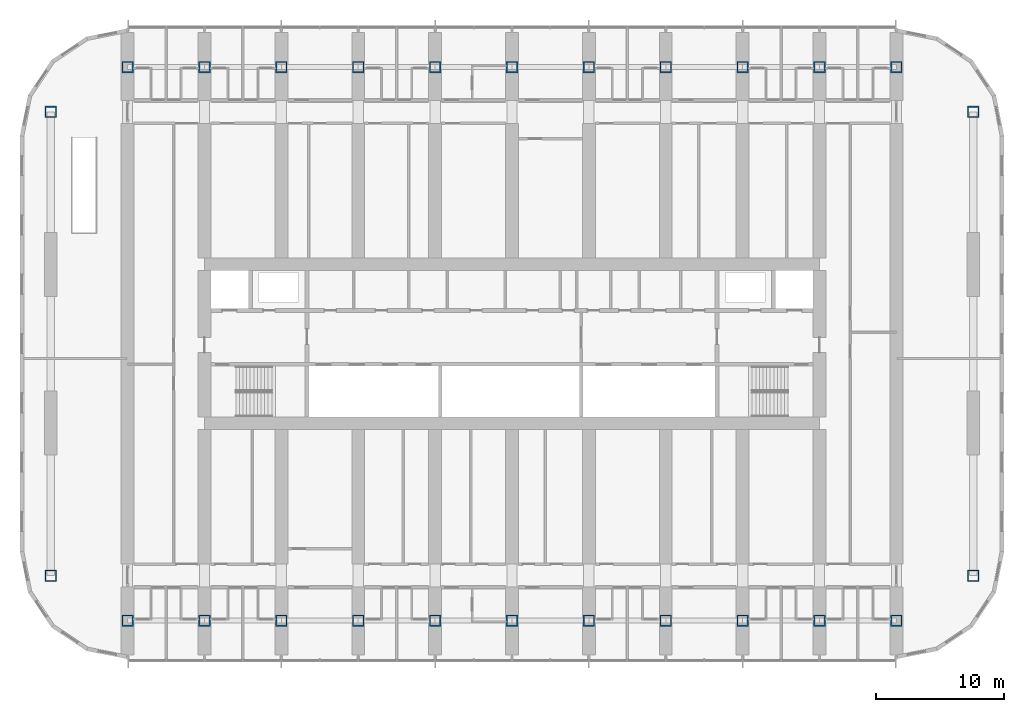
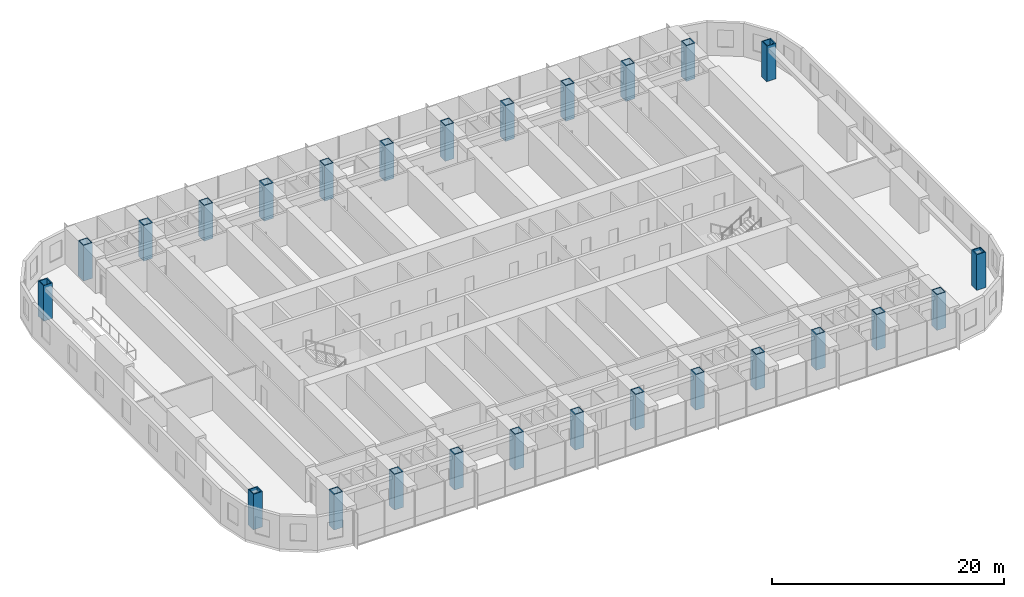
# One storey, part 1 of 24: 26 columns.
"""IFC4 building model written with IfcOpenShell, lengths in metres."""

from ifc_helpers import new_model, si_unit, direction, frame, origin, origin_2d, place, context, subcontext, project, spatial, hollow_rectangle, extrude, material, material_profile, profile_set, type_object, element, save


model = new_model("IFC4")

# Units and contexts
model_context = context("Model", 3, precision=1e-05, world=origin(), true_north=direction((0.0, 1.0)))
body_context = subcontext(model_context, "Body", "Model", "MODEL_VIEW")
ifc_project = project(units=[si_unit("LENGTHUNIT", "METRE"), si_unit("AREAUNIT", "SQUARE_METRE"), si_unit("VOLUMEUNIT", "CUBIC_METRE"), si_unit("PLANEANGLEUNIT", "RADIAN"), si_unit("MASSUNIT", "GRAM", prefix="KILO")], contexts=[model_context])

# Site, building, storey
site_placement = place(None, origin())
site = spatial("IfcSite", under=ifc_project, at=site_placement, CompositionType="ELEMENT")
building_placement = place(site_placement, origin())
building = spatial("IfcBuilding", under=site, at=building_placement, Name="Orbita Commons", CompositionType="ELEMENT")
storey_placement = place(building_placement, frame((0.0, 0.0, 27.699951171875)))
storey = spatial("IfcBuildingStorey", under=building, at=storey_placement, Name="L06", CompositionType="ELEMENT", Elevation=27.699951171875)

# Columns
ifc_material = material(Name="Steel ASTM A572 Gr 50 welded plate", Category="steel")
ifc_material_profile = material_profile(ifc_material, hollow_rectangle(XDim=0.89990234375, YDim=0.89990234375, WallThickness=0.090087890625, at=origin_2d()), Name="BOX 900x900x90")
ifc_profile_set = profile_set([ifc_material_profile], Name="Steel ASTM A572 Gr 50 welded plate")
column_type = type_object("IfcColumnType", Name="Steel column BOX 900x900x90", PredefinedType="COLUMN", material=ifc_profile_set)
for number, where, z_axis, x_axis, name in (
    (1, (12.0, 10.39990234375, 0.0), (0.0, 0.0, 1.0), (1.0, 0.0, 0.0), "Column 3/B L06"),
    (2, (12.0, 53.60009765625, 0.0), (0.0, 0.0, 1.0), (1.0, 0.0, 0.0), "Column 3/E L06"),
    (3, (18.0, 10.39990234375, 0.0), (0.0, 0.0, 1.0), (1.0, 0.0, 0.0), "Column 4/B L06"),
    (4, (18.0, 53.60009765625, 0.0), (0.0, 0.0, 1.0), (1.0, 0.0, 0.0), "Column 4/E L06"),
    (5, (24.0, 10.39990234375, 0.0), (0.0, 0.0, 1.0), (1.0, 0.0, 0.0), "Column 5/B L06"),
    (6, (24.0, 53.60009765625, 0.0), (0.0, 0.0, 1.0), (1.0, 0.0, 0.0), "Column 5/E L06"),
    (7, (30.0, 10.39990234375, 0.0), (0.0, 0.0, 1.0), (1.0, 0.0, 0.0), "Column 6/B L06"),
    (8, (30.0, 53.60009765625, 0.0), (0.0, 0.0, 1.0), (1.0, 0.0, 0.0), "Column 6/E L06"),
    (9, (36.0, 10.39990234375, 0.0), (0.0, 0.0, 1.0), (1.0, 0.0, 0.0), "Column 7/B L06"),
    (10, (36.0, 53.60009765625, 0.0), (0.0, 0.0, 1.0), (1.0, 0.0, 0.0), "Column 7/E L06"),
    (11, (42.0, 10.39990234375, 0.0), (0.0, 0.0, 1.0), (1.0, 0.0, 0.0), "Column 8/B L06"),
    (12, (42.0, 53.60009765625, 0.0), (0.0, 0.0, 1.0), (1.0, 0.0, 0.0), "Column 8/E L06"),
    (13, (48.0, 10.39990234375, 0.0), (0.0, 0.0, 1.0), (1.0, 0.0, 0.0), "Column 9/B L06"),
    (14, (48.0, 53.60009765625, 0.0), (0.0, 0.0, 1.0), (1.0, 0.0, 0.0), "Column 9/E L06"),
    (15, (54.0, 10.39990234375, 0.0), (0.0, 0.0, 1.0), (1.0, 0.0, 0.0), "Column 10/B L06"),
    (16, (54.0, 53.60009765625, 0.0), (0.0, 0.0, 1.0), (1.0, 0.0, 0.0), "Column 10/E L06"),
    (17, (60.0, 10.39990234375, 0.0), (0.0, 0.0, 1.0), (1.0, 0.0, 0.0), "Column 11/B L06"),
    (18, (60.0, 53.60009765625, 0.0), (0.0, 0.0, 1.0), (1.0, 0.0, 0.0), "Column 11/E L06"),
    (19, (66.0, 10.39990234375, 0.0), (0.0, 0.0, 1.0), (1.0, 0.0, 0.0), "Column 12/B L06"),
    (20, (66.0, 53.60009765625, 0.0), (0.0, 0.0, 1.0), (1.0, 0.0, 0.0), "Column 12/E L06"),
    (21, (72.0, 10.39990234375, 0.0), (0.0, 0.0, 1.0), (1.0, 0.0, 0.0), "Column 13/B L06"),
    (22, (72.0, 53.60009765625, 0.0), (0.0, 0.0, 1.0), (1.0, 0.0, 0.0), "Column 13/E L06"),
    (23, (6.0, 13.89990234375, 0.0), (0.0, 0.0, 1.0), (1.0, 0.0, 0.0), "Column 2/13.9 L06"),
    (24, (6.0, 50.10009765625, 0.0), (0.0, 0.0, 1.0), (1.0, 0.0, 0.0), "Column 2/50.1 L06"),
    (25, (78.0, 13.89990234375, 0.0), (0.0, 0.0, 1.0), (1.0, 0.0, 0.0), "Column 14/13.9 L06"),
    (26, (78.0, 50.10009765625, 0.0), (0.0, 0.0, 1.0), (1.0, 0.0, 0.0), "Column 14/50.1 L06"),
):
    element("IfcColumn", number, at=place(storey_placement, frame(where, z_axis=z_axis, x_axis=x_axis)), inside=storey, type_object=column_type, Name=name, PredefinedType="COLUMN", context=body_context, shape_type="SweptSolid", body=[
        extrude(hollow_rectangle(XDim=0.89990234375, YDim=0.89990234375, WallThickness=0.090087890625, at=origin_2d()), origin(), (0.0, 0.0, 1.0), 3.75),
    ])

save(model, "model.ifc")
